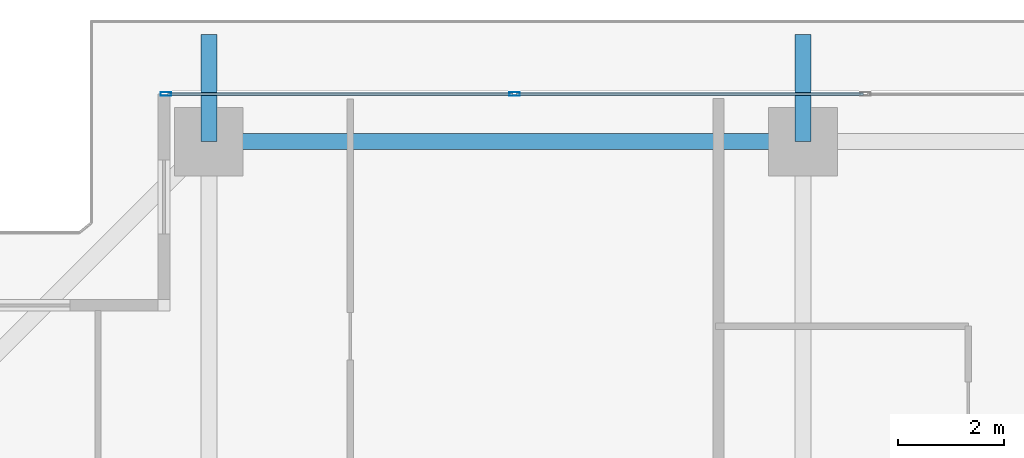
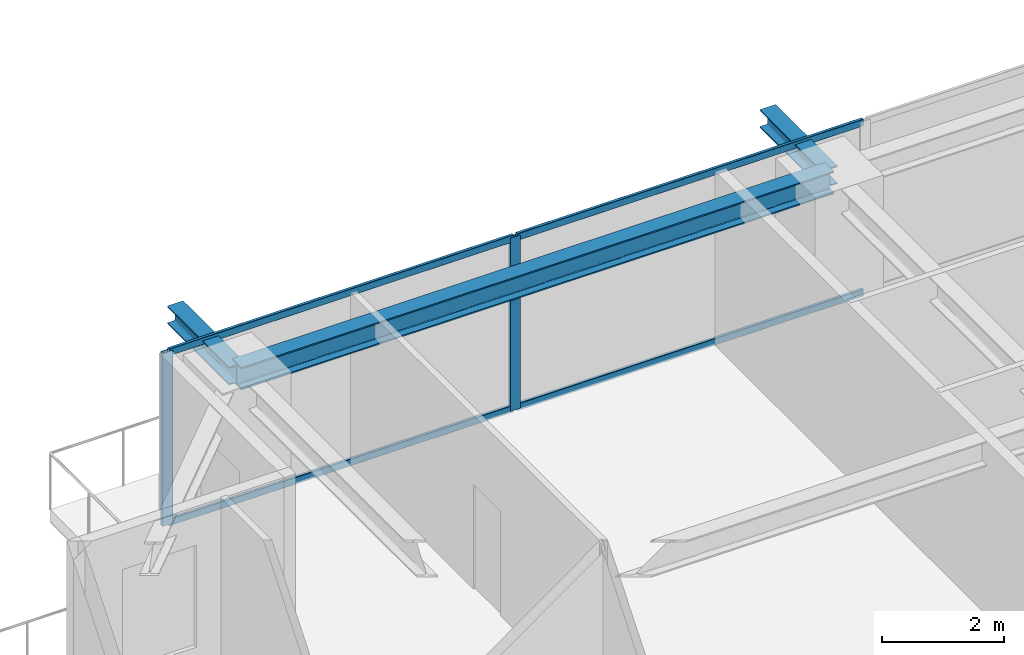
# One storey, part 18 of 35: 6 members, 3 beams, 1 element without a shape of its own.
"""IFC4 building model written with IfcOpenShell, lengths in metres."""

from ifc_helpers import new_model, si_unit, direction, frame, origin, origin_2d, place, context, subcontext, project, spatial, hollow_rectangle, i_section, extrude, source, transform, mapped, material, layer, layer_set, material_profile, profile_set, type_object, element, aggregate, save


model = new_model("IFC4")

# Units and contexts
model_context = context("Model", 3, precision=1e-05, world=origin(), true_north=direction((0.0, 1.0)))
body_context = subcontext(model_context, "Body", "Model", "MODEL_VIEW")
ifc_project = project(units=[si_unit("LENGTHUNIT", "METRE"), si_unit("AREAUNIT", "SQUARE_METRE"), si_unit("VOLUMEUNIT", "CUBIC_METRE"), si_unit("PLANEANGLEUNIT", "RADIAN"), si_unit("MASSUNIT", "GRAM", prefix="KILO")], contexts=[model_context])

# Site, building, storey
site_placement = place(None, origin())
site = spatial("IfcSite", under=ifc_project, at=site_placement, CompositionType="ELEMENT")
building_placement = place(site_placement, origin())
building = spatial("IfcBuilding", under=site, at=building_placement, Name="Serunith Strait Residences", CompositionType="ELEMENT")
storey_placement = place(building_placement, frame((0.0, 0.0, 172.64990234375)))
storey = spatial("IfcBuildingStorey", under=building, at=storey_placement, Name="L43", CompositionType="ELEMENT", Elevation=172.64990234375)

# Beams
ifc_material_1 = material(Name="Steel S355J2", Category="steel")
ifc_material_profile_1 = material_profile(ifc_material_1, i_section(OverallWidth=0.300048828125, OverallDepth=0.449951171875, WebThickness=0.013916015625, FlangeThickness=0.02587890625, FilletRadius=0.027099609375, at=origin_2d()), Name="HEB 450")
ifc_profile_set_1 = profile_set([ifc_material_profile_1], Name="Steel S355J2")
beam_type_1 = type_object("IfcBeamType", Name="BM-HEB450", PredefinedType="BEAM", material=ifc_profile_set_1)
shared_shape_1 = source(origin(), body_context, "Body", "SweptSolid", [
    extrude(i_section(OverallWidth=0.300048828125, OverallDepth=0.449951171875, WebThickness=0.013916015625, FlangeThickness=0.02587890625, FilletRadius=0.027099609375, at=origin_2d()), origin(), (0.0, 0.0, 1.0), 11.25),
])
beam_placement = place(storey_placement, frame((27.89990234375, 48.10009765625, 3.26220703125), z_axis=(-1.0, 0.0, 0.0), x_axis=(0.0, -1.0, 0.0)))
element("IfcBeam", 1, at=beam_placement, inside=storey, type_object=beam_type_1, Name="L43 Perimeter Ring Beam 11", PredefinedType="BEAM", context=body_context, shape_type="MappedRepresentation", body=[
    mapped(shared_shape_1, transform((0.0, 0.0, 0.0), scale=1.0)),
])
ifc_material_profile_2 = material_profile(ifc_material_1, i_section(OverallWidth=0.300048828125, OverallDepth=0.360107421875, WebThickness=0.012451171875, FlangeThickness=0.0224609375, FilletRadius=0.027099609375, at=origin_2d()), Name="HEB 360")
ifc_profile_set_2 = profile_set([ifc_material_profile_2], Name="Steel S355J2")
beam_type_2 = type_object("IfcBeamType", Name="BM-HEB360", PredefinedType="BEAM", material=ifc_profile_set_2)
shared_shape_2 = source(origin(), body_context, "Body", "SweptSolid", [
    extrude(i_section(OverallWidth=0.300048828125, OverallDepth=0.360107421875, WebThickness=0.012451171875, FlangeThickness=0.0224609375, FilletRadius=0.027099609375, at=origin_2d()), origin(), (0.0, 0.0, 1.0), 2.02978515625),
])
for number, where, z_axis, x_axis, name in (
    (2, (16.64990234375, 48.10009765625, 3.277099609375), (0.0, 1.0, 0.0), (-1.0, 0.0, 0.0), "L44 Cantilevered Balcony Rib TC-N1"),
    (3, (27.89990234375, 48.10009765625, 3.277099609375), (0.0, 1.0, 0.0), (-1.0, 0.0, 0.0), "L44 Cantilevered Balcony Rib TC-N2"),
):
    element("IfcBeam", number, at=place(storey_placement, frame(where, z_axis=z_axis, x_axis=x_axis)), inside=storey, type_object=beam_type_2, Name=name, PredefinedType="BEAM", context=body_context, shape_type="MappedRepresentation", body=[
        mapped(shared_shape_2, transform((0.0, 0.0, 0.0), scale=1.0)),
    ])

# Curtain wall, members
ifc_material_2 = material(Name="Pale-Champagne Anodised Aluminium", Category="aluminium")
ifc_layer = layer(ifc_material_2, 0.199951171875, Name="Pale-Champagne Anodised Aluminium")
ifc_layer_set = layer_set([ifc_layer], Name="Pale-Champagne Anodised Aluminium")
curtain_wall_type = type_object("IfcCurtainWallType", Name="CW-SYS2", PredefinedType="NOTDEFINED", material=ifc_layer_set)
curtain_wall_placement = place(storey_placement, origin())
curtain_wall = element("IfcCurtainWall", 4, at=curtain_wall_placement, inside=storey, type_object=curtain_wall_type, Name="L43 N Unitised Fritted Curtain Wall", PredefinedType="NOTDEFINED")
ifc_material_profile_3 = material_profile(ifc_material_2, hollow_rectangle(XDim=0.070068359375, YDim=0.199951171875, WallThickness=0.00390625, InnerFilletRadius=0.006103515625, OuterFilletRadius=0.010009765625, at=origin_2d()), Name="ALU 200x70x4")
ifc_profile_set_3 = profile_set([ifc_material_profile_3], Name="Pale-Champagne Anodised Aluminium")
member_type_1 = type_object("IfcMemberType", Name="CW-SYS2-MULL", PredefinedType="MULLION", material=ifc_profile_set_3)
shared_shape_3 = source(origin(), body_context, "Body", "SweptSolid", [
    extrude(hollow_rectangle(XDim=0.070068359375, YDim=0.199951171875, WallThickness=0.00390625, InnerFilletRadius=0.006103515625, OuterFilletRadius=0.010009765625, at=origin_2d()), origin(), (0.0, 0.0, 1.0), 3.47509765625),
])
member_1_placement = place(storey_placement, frame((22.43994140625, 49.0, 0.0), z_axis=(0.0, 0.0, 1.0), x_axis=(0.0, -1.0, 0.0)))
member_1 = element("IfcMember", 5, at=member_1_placement, type_object=member_type_1, Name="CW-2 mullion 5", PredefinedType="MULLION", context=body_context, shape_type="MappedRepresentation", body=[
    mapped(shared_shape_3, transform((0.0, 0.0, 0.0), scale=1.0)),
])
member_2_placement = place(storey_placement, frame((15.8349609375, 49.0, 0.0), z_axis=(0.0, 0.0, 1.0), x_axis=(0.0, -1.0, 0.0)))
member_2 = element("IfcMember", 6, at=member_2_placement, type_object=member_type_1, Name="CW-2 mullion 6", PredefinedType="MULLION", context=body_context, shape_type="MappedRepresentation", body=[
    mapped(shared_shape_3, transform((0.0, 0.0, 0.0), scale=1.0)),
])
ifc_material_profile_4 = material_profile(ifc_material_2, hollow_rectangle(XDim=0.06005859375, YDim=0.139892578125, WallThickness=0.00341796875, InnerFilletRadius=0.00537109375, OuterFilletRadius=0.0087890625, at=origin_2d()), Name="ALU 140x60x3.5")
ifc_profile_set_4 = profile_set([ifc_material_profile_4], Name="Pale-Champagne Anodised Aluminium")
member_type_2 = type_object("IfcMemberType", Name="CW-SYS2-TRAN", PredefinedType="USERDEFINED", material=ifc_profile_set_4)
shared_shape_4 = source(origin(), body_context, "Body", "SweptSolid", [
    extrude(hollow_rectangle(XDim=0.06005859375, YDim=0.139892578125, WallThickness=0.00341796875, InnerFilletRadius=0.00537109375, OuterFilletRadius=0.0087890625, at=origin_2d()), origin(), (0.0, 0.0, 1.0), 6.534912109375),
])
member_3_placement = place(storey_placement, frame((22.405029296875, 49.0, 0.030029296875), z_axis=(-1.0, 0.0, 0.0), x_axis=(0.0, -1.0, 0.0)))
member_3 = element("IfcMember", 7, at=member_3_placement, type_object=member_type_2, Name="CW-2 transom 5.1", ObjectType="TRANSOM", PredefinedType="USERDEFINED", context=body_context, shape_type="MappedRepresentation", body=[
    mapped(shared_shape_4, transform((0.0, 0.0, 0.0), scale=1.0)),
])
member_4_placement = place(storey_placement, frame((22.405029296875, 49.0, 3.445068359375), z_axis=(-1.0, 0.0, 0.0), x_axis=(0.0, -1.0, 0.0)))
member_4 = element("IfcMember", 8, at=member_4_placement, type_object=member_type_2, Name="CW-2 transom 5.2", ObjectType="TRANSOM", PredefinedType="USERDEFINED", context=body_context, shape_type="MappedRepresentation", body=[
    mapped(shared_shape_4, transform((0.0, 0.0, 0.0), scale=1.0)),
])
shared_shape_5 = source(origin(), body_context, "Body", "SweptSolid", [
    extrude(hollow_rectangle(XDim=0.06005859375, YDim=0.139892578125, WallThickness=0.00341796875, InnerFilletRadius=0.00537109375, OuterFilletRadius=0.0087890625, at=origin_2d()), origin(), (0.0, 0.0, 1.0), 6.56982421875),
])
member_5_placement = place(storey_placement, frame((29.044921875, 49.0, 0.030029296875), z_axis=(-1.0, 0.0, 0.0), x_axis=(0.0, -1.0, 0.0)))
member_5 = element("IfcMember", 9, at=member_5_placement, type_object=member_type_2, Name="CW-2 transom 4.1", ObjectType="TRANSOM", PredefinedType="USERDEFINED", context=body_context, shape_type="MappedRepresentation", body=[
    mapped(shared_shape_5, transform((0.0, 0.0, 0.0), scale=1.0)),
])
member_6_placement = place(storey_placement, frame((29.044921875, 49.0, 3.445068359375), z_axis=(-1.0, 0.0, 0.0), x_axis=(0.0, -1.0, 0.0)))
member_6 = element("IfcMember", 10, at=member_6_placement, type_object=member_type_2, Name="CW-2 transom 4.2", ObjectType="TRANSOM", PredefinedType="USERDEFINED", context=body_context, shape_type="MappedRepresentation", body=[
    mapped(shared_shape_5, transform((0.0, 0.0, 0.0), scale=1.0)),
])
aggregate(curtain_wall, [member_1, member_2, member_5, member_6, member_3, member_4])

save(model, "model.ifc")
